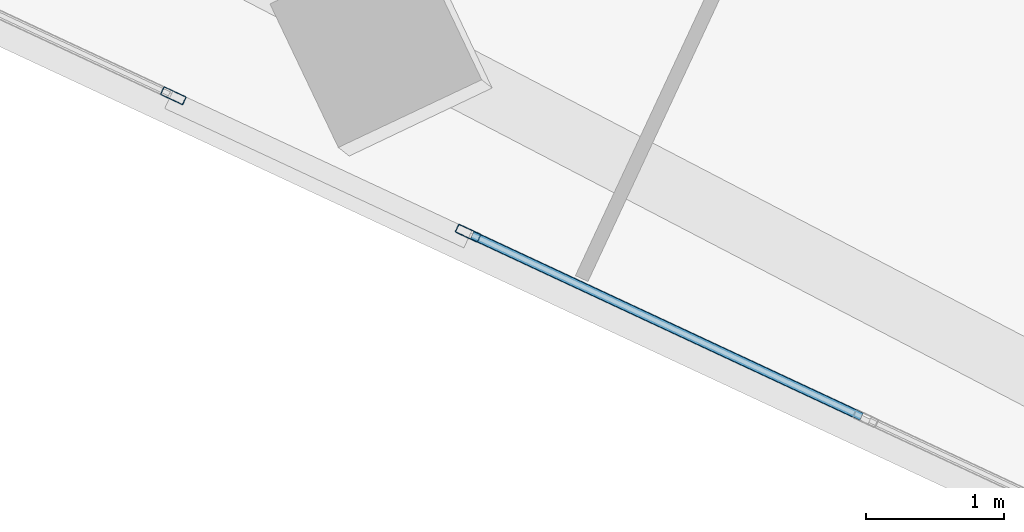
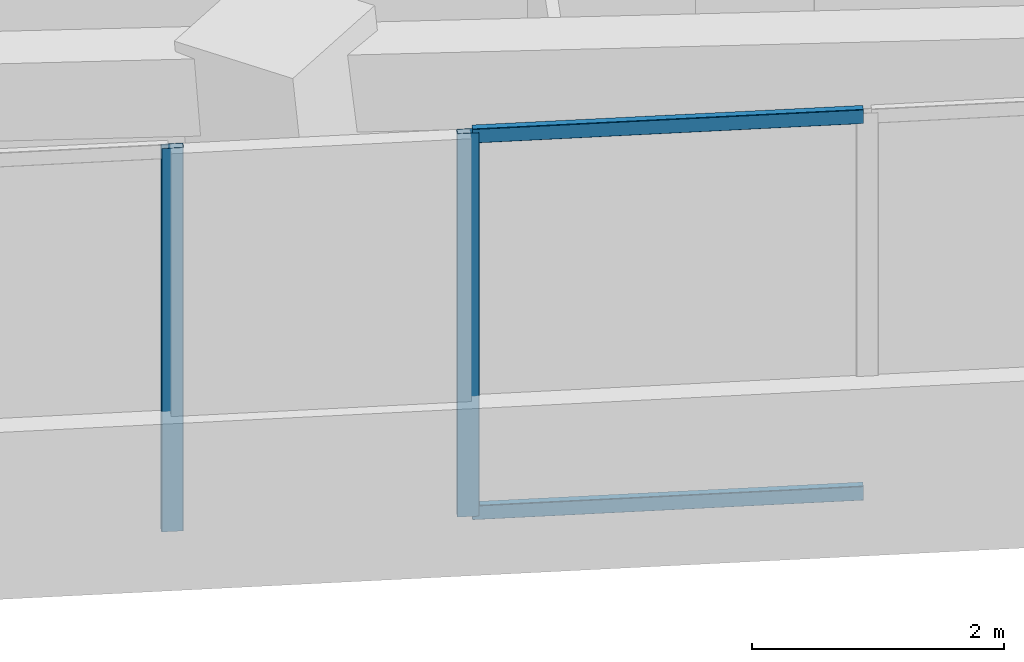
# One storey, part 2 of 21: 4 members, 2 elements without a shape of their own.
"""IFC4 building model written with IfcOpenShell, lengths in metres."""

from ifc_helpers import new_model, si_unit, direction, frame, origin, origin_2d, place, context, subcontext, project, spatial, hollow_rectangle, extrude, source, transform, mapped, material, material_profile, profile_set, type_object, element, aggregate, save


model = new_model("IFC4")

# Units and contexts
model_context = context("Model", 3, precision=1e-05, world=origin(), true_north=direction((0.0, 1.0)))
body_context = subcontext(model_context, "Body", "Model", "MODEL_VIEW")
ifc_project = project(units=[si_unit("LENGTHUNIT", "METRE"), si_unit("AREAUNIT", "SQUARE_METRE"), si_unit("VOLUMEUNIT", "CUBIC_METRE"), si_unit("PLANEANGLEUNIT", "RADIAN"), si_unit("MASSUNIT", "GRAM", prefix="KILO")], contexts=[model_context])

# Site, building, storey
site_placement = place(None, origin())
site = spatial("IfcSite", under=ifc_project, at=site_placement, CompositionType="ELEMENT")
building_placement = place(site_placement, origin())
building = spatial("IfcBuilding", under=site, at=building_placement, Name="Torre Montelarca", CompositionType="ELEMENT")
storey_placement = place(building_placement, frame((0.0, 0.0, 162.39990234375)))
storey = spatial("IfcBuildingStorey", under=building, at=storey_placement, Name="L36", CompositionType="ELEMENT", Elevation=162.39990234375)

# Curtain wall, member
ifc_material_1 = material(Name="Insulated low-E laminated glass", Category="glass")
curtain_wall_type = type_object("IfcCurtainWallType", Name="CW-SYS-Z2", PredefinedType="USERDEFINED", material=ifc_material_1)
curtain_wall_1_placement = place(storey_placement, origin())
curtain_wall_1 = element("IfcCurtainWall", 1, at=curtain_wall_1_placement, inside=storey, type_object=curtain_wall_type, Name="L36 Curtain Wall Run CW-T3-L36-E01-B1", ObjectType="UNITISED GLAZING", PredefinedType="USERDEFINED")
ifc_material_2 = material(Name="Anodised aluminium AA 6063-T6", Category="aluminium")
ifc_material_profile_1 = material_profile(ifc_material_2, hollow_rectangle(XDim=0.06494140625, YDim=0.179931640625, WallThickness=0.00390625, InnerFilletRadius=0.00390625, OuterFilletRadius=0.008056640625, at=origin_2d()), Name="ALU65X180X4", Category="aluminium")
ifc_profile_set_1 = profile_set([ifc_material_profile_1], Name="Anodised aluminium AA 6063-T6")
member_type_1 = type_object("IfcMemberType", Name="CWM-ALU180", PredefinedType="MULLION", material=ifc_profile_set_1)
shared_shape_1 = source(origin(), body_context, "Body", "SweptSolid", [
    extrude(hollow_rectangle(XDim=0.06494140625, YDim=0.179931640625, WallThickness=0.00390625, InnerFilletRadius=0.00390625, OuterFilletRadius=0.008056640625, at=origin_2d()), origin(), (0.0, 0.0, 1.0), 3.72021484375),
])
member_1_placement = place(storey_placement, frame((9.197509765625, 17.798828125, 0.0), z_axis=(0.0, 0.0, 1.0), x_axis=(0.422611185521, 0.906311086698, 0.0)))
member_1 = element("IfcMember", 2, at=member_1_placement, type_object=member_type_1, Name="CW mullion 3", PredefinedType="MULLION", context=body_context, shape_type="MappedRepresentation", body=[
    mapped(shared_shape_1, transform((0.0, 0.0, 0.0), scale=1.0)),
])
aggregate(curtain_wall_1, [member_1])

# Curtain wall, members
curtain_wall_2_placement = place(storey_placement, origin())
curtain_wall_2 = element("IfcCurtainWall", 3, at=curtain_wall_2_placement, inside=storey, type_object=curtain_wall_type, Name="L36 Curtain Wall Run CW-T3-L36-E01-B2", ObjectType="UNITISED GLAZING", PredefinedType="USERDEFINED")
member_2_placement = place(storey_placement, frame((11.337646484375, 16.80078125, 0.0), z_axis=(0.0, 0.0, 1.0), x_axis=(0.422619974329, 0.906306988442, 0.0)))
member_2 = element("IfcMember", 4, at=member_2_placement, type_object=member_type_1, Name="CW mullion 1", PredefinedType="MULLION", context=body_context, shape_type="MappedRepresentation", body=[
    mapped(shared_shape_1, transform((0.0, 0.0, 0.0), scale=1.0)),
])
ifc_material_profile_2 = material_profile(ifc_material_2, hollow_rectangle(XDim=0.06494140625, YDim=0.139892578125, WallThickness=0.00390625, InnerFilletRadius=0.00390625, OuterFilletRadius=0.008056640625, at=origin_2d()), Name="ALU65X140X4", Category="aluminium")
ifc_profile_set_2 = profile_set([ifc_material_profile_2], Name="Anodised aluminium AA 6063-T6")
member_type_2 = type_object("IfcMemberType", Name="CWT-ALU140", PredefinedType="USERDEFINED", material=ifc_profile_set_2)
shared_shape_2 = source(origin(), body_context, "Body", "SweptSolid", [
    extrude(hollow_rectangle(XDim=0.06494140625, YDim=0.139892578125, WallThickness=0.00390625, InnerFilletRadius=0.00390625, OuterFilletRadius=0.008056640625, at=origin_2d()), origin(), (0.0, 0.0, 1.0), 3.119384765625),
])
member_3_placement = place(storey_placement, frame((11.366943359375, 16.787109375, 0.03271484375), z_axis=(0.906303071034, -0.422628375094, 0.0), x_axis=(0.422628375094, 0.906303071034, 0.0)))
member_3 = element("IfcMember", 5, at=member_3_placement, type_object=member_type_2, Name="CW transom 1.1", ObjectType="TRANSOM", PredefinedType="USERDEFINED", context=body_context, shape_type="MappedRepresentation", body=[
    mapped(shared_shape_2, transform((0.0, 0.0, 0.0), scale=1.0)),
])
member_4_placement = place(storey_placement, frame((11.366943359375, 16.787109375, 3.6875), z_axis=(0.906303071034, -0.422628375094, 0.0), x_axis=(0.422628375094, 0.906303071034, 0.0)))
member_4 = element("IfcMember", 6, at=member_4_placement, type_object=member_type_2, Name="CW transom 1.2", ObjectType="TRANSOM", PredefinedType="USERDEFINED", context=body_context, shape_type="MappedRepresentation", body=[
    mapped(shared_shape_2, transform((0.0, 0.0, 0.0), scale=1.0)),
])
aggregate(curtain_wall_2, [member_2, member_3, member_4])

save(model, "model.ifc")
